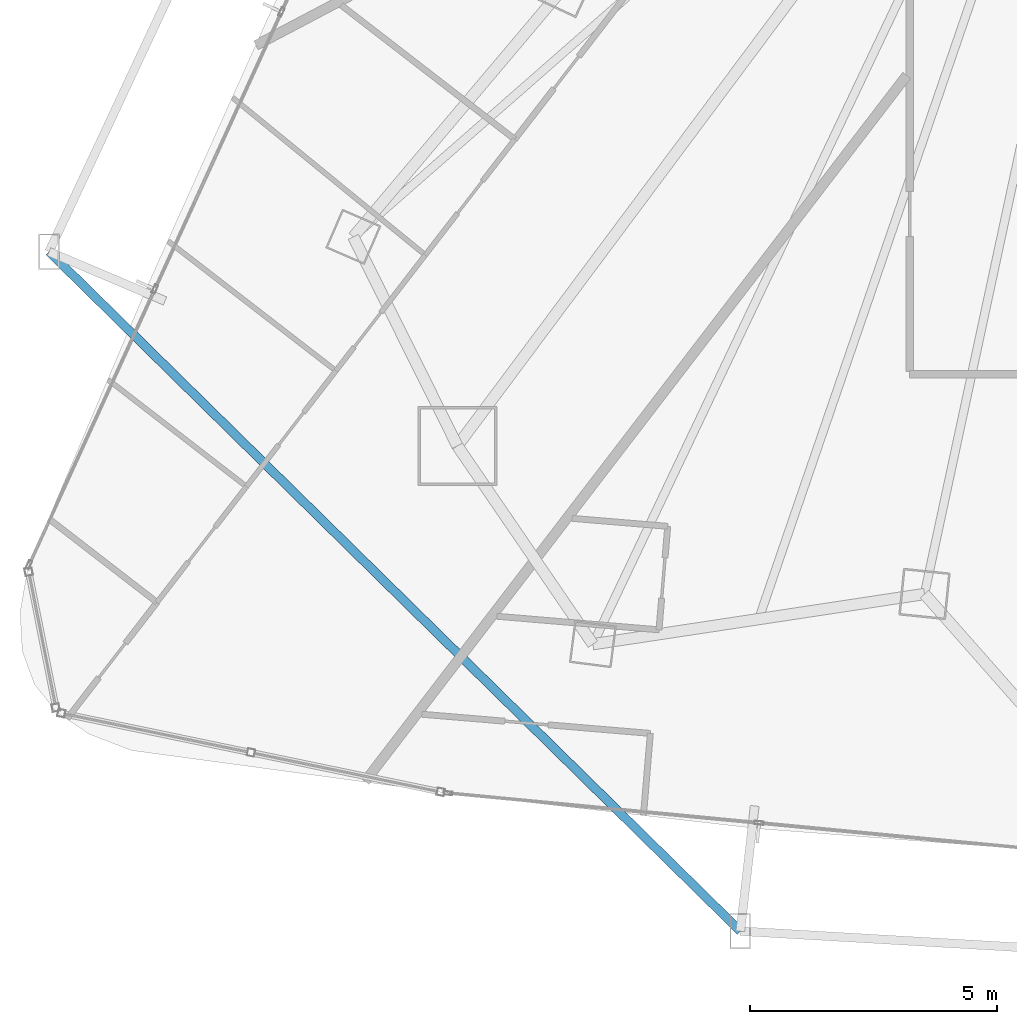
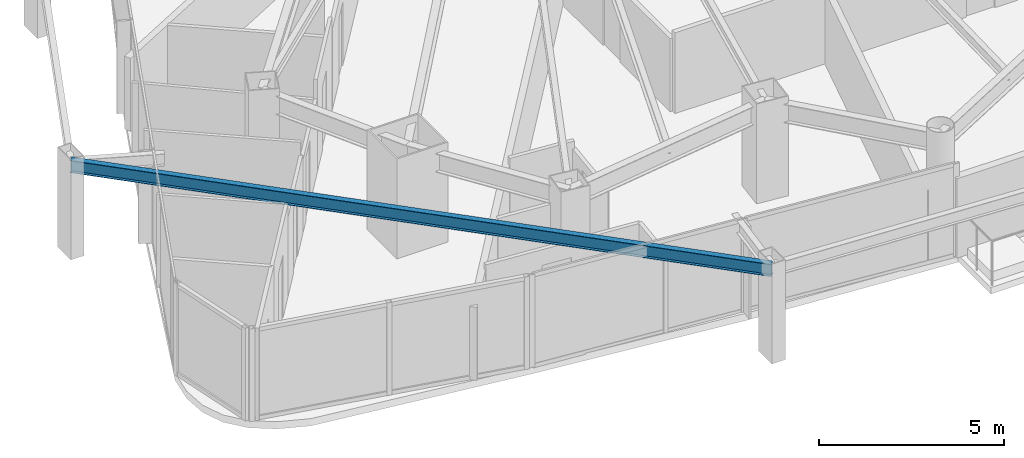
# One storey, part 3 of 34: 1 beam.
"""IFC4 building model written with IfcOpenShell, lengths in metres."""

from ifc_helpers import new_model, si_unit, direction, frame, origin, origin_2d, place, context, subcontext, project, spatial, i_section, extrude, material, material_profile, profile_set, type_object, element, save


model = new_model("IFC4")

# Units and contexts
model_context = context("Model", 3, precision=1e-05, world=origin(), true_north=direction((0.0, 1.0)))
body_context = subcontext(model_context, "Body", "Model", "MODEL_VIEW")
ifc_project = project(units=[si_unit("LENGTHUNIT", "METRE"), si_unit("AREAUNIT", "SQUARE_METRE"), si_unit("VOLUMEUNIT", "CUBIC_METRE"), si_unit("PLANEANGLEUNIT", "RADIAN"), si_unit("MASSUNIT", "GRAM", prefix="KILO")], contexts=[model_context])

# Site, building, storey
site_placement = place(None, origin())
site = spatial("IfcSite", under=ifc_project, at=site_placement, CompositionType="ELEMENT")
building_placement = place(site_placement, origin())
building = spatial("IfcBuilding", under=site, at=building_placement, Name="Orvanel Arch Residences", CompositionType="ELEMENT")
storey_placement = place(building_placement, frame((0.0, 0.0, 77.449951171875)))
storey = spatial("IfcBuildingStorey", under=building, at=storey_placement, Name="L21", CompositionType="ELEMENT", Elevation=77.449951171875)

# Beam
ifc_material = material(Name="Structural steel AS/NZS 3679.1 Grade 300 (300 MPa)", Category="steel")
ifc_material_profile = material_profile(ifc_material, i_section(OverallWidth=0.177978515625, OverallDepth=0.406005859375, WebThickness=0.0078125, FlangeThickness=0.0126953125, at=origin_2d()), Name="410UB59.7")
ifc_profile_set = profile_set([ifc_material_profile], Name="Structural steel AS/NZS 3679.1 Grade 300 (300 MPa)")
beam_type = type_object("IfcBeamType", Name="OB-410UB-EXT", PredefinedType="SPANDREL", material=ifc_profile_set)
beam_placement = place(storey_placement, frame((5.93896484375, 14.279052734375, 2.85693359375), z_axis=(0.713199702725, -0.700960900502, 0.0), x_axis=(0.700960900502, 0.713199702725, 0.0)))
element("IfcBeam", 1, at=beam_placement, inside=storey, type_object=beam_type, Name="L21 Outer Perimeter Floor Ring Beam 04", PredefinedType="SPANDREL", context=body_context, shape_type="SweptSolid", body=[
    extrude(i_section(OverallWidth=0.177978515625, OverallDepth=0.406005859375, WebThickness=0.0078125, FlangeThickness=0.0126953125, at=origin_2d()), origin(), (0.0, 0.0, 1.0), 19.60888671875),
])

save(model, "model.ifc")
